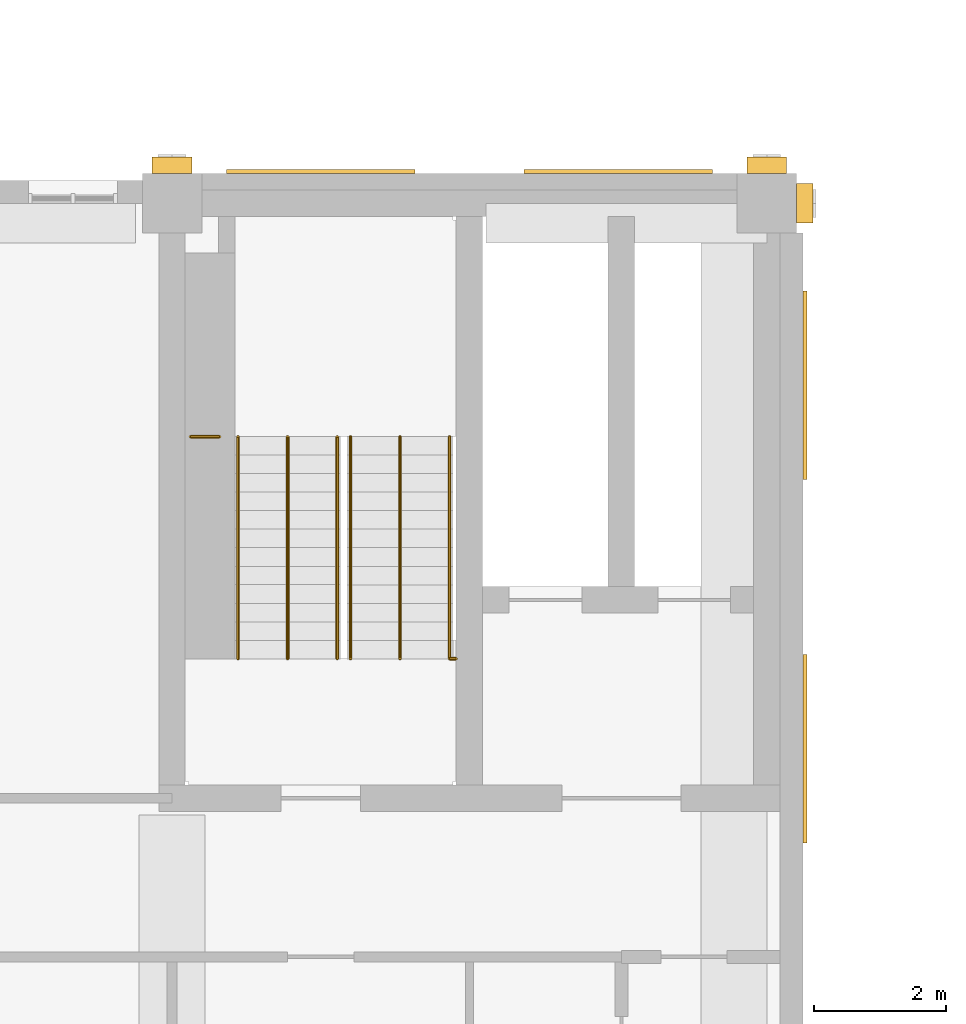
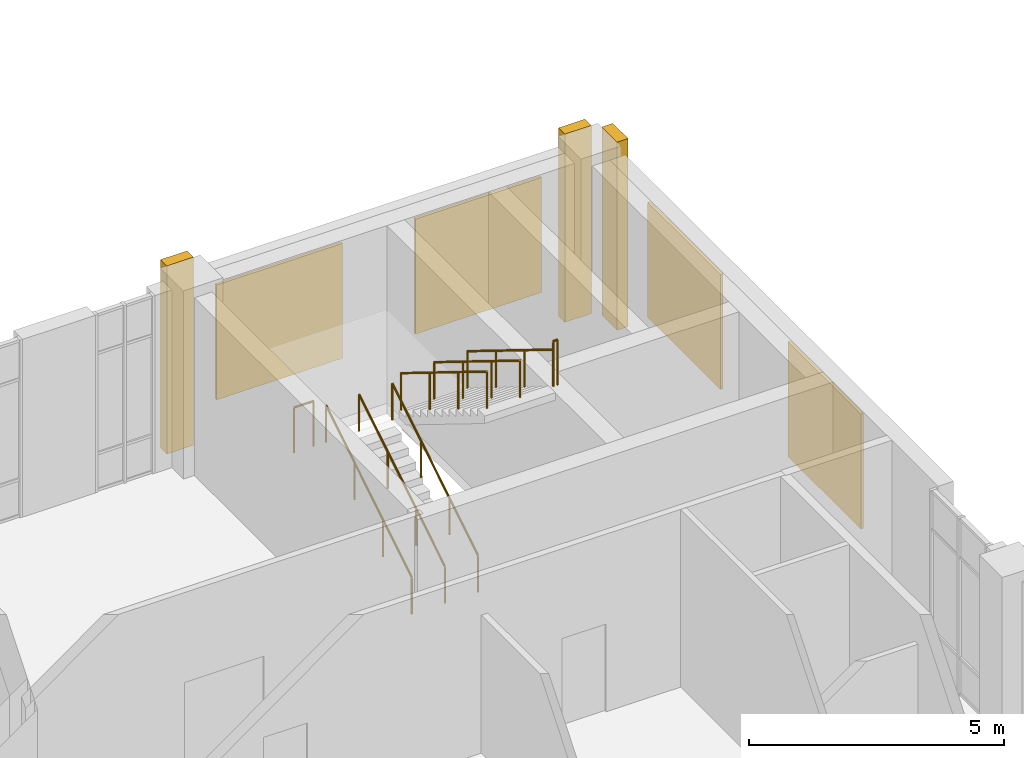
# One storey, part 24 of 25: 8 railings, 7 coverings.
"""IFC4 building model written with IfcOpenShell, lengths in metres."""

from ifc_helpers import new_model, si_unit, direction, frame, origin, origin_2d, place, context, subcontext, project, spatial, rectangle, circle, extrude, material, layer, layer_set, type_object, element, save


model = new_model("IFC4")

# Units and contexts
model_context = context("Model", 3, precision=1e-05, world=origin(), true_north=direction((0.0, 1.0)))
body_context = subcontext(model_context, "Body", "Model", "MODEL_VIEW")
ifc_project = project(units=[si_unit("LENGTHUNIT", "METRE"), si_unit("AREAUNIT", "SQUARE_METRE"), si_unit("VOLUMEUNIT", "CUBIC_METRE"), si_unit("PLANEANGLEUNIT", "RADIAN"), si_unit("MASSUNIT", "GRAM", prefix="KILO")], contexts=[model_context])

# Site, building, storey
site_placement = place(None, origin())
site = spatial("IfcSite", under=ifc_project, at=site_placement, CompositionType="ELEMENT")
building_placement = place(site_placement, origin())
building = spatial("IfcBuilding", under=site, at=building_placement, Name="Aurelan Courthouse", CompositionType="ELEMENT")
storey_placement = place(building_placement, frame((0.0, 0.0, 44.39990234375)))
storey = spatial("IfcBuildingStorey", under=building, at=storey_placement, Name="L08", CompositionType="ELEMENT", Elevation=44.39990234375)

# Coverings
ifc_material_1 = material(Name="Bronze sheet cladding")
ifc_layer = layer(ifc_material_1, 0.06005859375)
ifc_layer_set = layer_set([ifc_layer], Name="Bronze sheet cladding")
covering_type_1 = type_object("IfcCoveringType", Name="Courts' Floors blind bay 2850 x 2750", PredefinedType="CLADDING", material=ifc_layer_set)
for number, where, z_axis, x_axis, name in (
    (1, (20.25, 28.97998046875, 0.900146484375), (0.0, 0.0, 1.0), (1.0, 0.0, 0.0), "Blind bay BB-V5-L08-003"),
    (2, (24.75, 28.97998046875, 0.900146484375), (0.0, 0.0, 1.0), (1.0, 0.0, 0.0), "Blind bay BB-V5-L08-004"),
):
    element("IfcCovering", number, at=place(storey_placement, frame(where, z_axis=z_axis, x_axis=x_axis)), inside=storey, type_object=covering_type_1, Name=name, PredefinedType="CLADDING", context=body_context, shape_type="SweptSolid", body=[
        extrude(rectangle(XDim=2.85009765625, YDim=0.06005859375, at=origin_2d()), origin(), (0.0, 0.0, 1.0), 2.75),
    ])
for number, where, z_axis, x_axis, name in (
    (3, (27.580078125, 20.25, 0.900146484375), (0.0, 0.0, 1.0), (1.0, 0.0, 0.0), "Blind bay BB-V5-L08-005"),
    (4, (27.580078125, 25.75, 0.900146484375), (0.0, 0.0, 1.0), (1.0, 0.0, 0.0), "Blind bay BB-V5-L08-006"),
):
    element("IfcCovering", number, at=place(storey_placement, frame(where, z_axis=z_axis, x_axis=x_axis)), inside=storey, type_object=covering_type_1, Name=name, PredefinedType="CLADDING", context=body_context, shape_type="SweptSolid", body=[
        extrude(rectangle(XDim=0.06005859375, YDim=2.85009765625, at=origin_2d()), origin(), (0.0, 0.0, 1.0), 2.75),
    ])
ifc_material_2 = material(Name="Limestone cladding", Category="masonry")
covering_type_2 = type_object("IfcCoveringType", Name="Courts' Floors pilaster fin 600 x 250", PredefinedType="CLADDING", material=ifc_material_2)
for number, where, z_axis, x_axis, name in (
    (5, (18.0, 29.074951171875, 0.0), (0.0, 0.0, 1.0), (1.0, 0.0, 0.0), "Pilaster fin FN-V5-091"),
    (6, (27.0, 29.074951171875, 0.0), (0.0, 0.0, 1.0), (1.0, 0.0, 0.0), "Pilaster fin FN-V5-092"),
):
    element("IfcCovering", number, at=place(storey_placement, frame(where, z_axis=z_axis, x_axis=x_axis)), inside=storey, type_object=covering_type_2, Name=name, PredefinedType="CLADDING", context=body_context, shape_type="SweptSolid", body=[
        extrude(rectangle(XDim=0.60009765625, YDim=0.25, at=origin_2d()), origin(), (0.0, 0.0, 1.0), 4.5),
    ])
covering_placement = place(storey_placement, frame((27.574951171875, 28.5, 0.0), z_axis=(0.0, 0.0, 1.0), x_axis=(1.0, 0.0, 0.0)))
element("IfcCovering", 7, at=covering_placement, inside=storey, type_object=covering_type_2, Name="Pilaster fin FN-V5-095", PredefinedType="CLADDING", context=body_context, shape_type="SweptSolid", body=[
    extrude(rectangle(XDim=0.25, YDim=0.60009765625, at=origin_2d()), origin(), (0.0, 0.0, 1.0), 4.5),
])

# Railings
ifc_material_3 = material(Name="Steel S355", Category="steel")
railing_type_1 = type_object("IfcRailingType", Name="Stair guard 1100", PredefinedType="GUARDRAIL", material=ifc_material_3)
railing_1_placement = place(storey_placement, frame((22.199951171875, 21.610107421875, 4.5)))
element("IfcRailing", 8, at=railing_1_placement, inside=storey, type_object=railing_type_1, Name="Guard ST-5A-L08-H5-C", PredefinedType="GUARDRAIL", context=body_context, shape_type="SweptSolid", body=[
    extrude(circle(Radius=0.02392578125, at=origin_2d()), frame((0.0, 0.0, 1.076171875), z_axis=(1.0, 0.0, 0.0), x_axis=(0.0, 1.0, 0.0)), (0.0, 0.0, 1.0), 0.10009765625),
    extrude(circle(Radius=0.02099609375, at=origin_2d()), origin(), (0.0, 0.0, 1.0), 1.052001953125),
    extrude(circle(Radius=0.02099609375, at=origin_2d()), frame((0.10009765625, 0.0, 0.0)), (0.0, 0.0, 1.0), 1.052001953125),
])
railing_2_placement = place(storey_placement, frame((18.719970703125, 24.969970703125, 2.25)))
element("IfcRailing", 9, at=railing_2_placement, inside=storey, type_object=railing_type_1, Name="Guard ST-5A-L08-GL1", PredefinedType="GUARDRAIL", context=body_context, shape_type="SweptSolid", body=[
    extrude(circle(Radius=0.02392578125, at=origin_2d()), frame((0.0, 0.0, 1.076171875), z_axis=(-1.0, 0.0, 0.0), x_axis=(0.0, -1.0, 0.0)), (0.0, 0.0, 1.0), 0.43994140625),
    extrude(circle(Radius=0.02099609375, at=origin_2d()), origin(), (0.0, 0.0, 1.0), 1.052001953125),
    extrude(circle(Radius=0.02099609375, at=origin_2d()), frame((-0.43994140625, 0.0, 0.0)), (0.0, 0.0, 1.0), 1.052001953125),
])
railing_type_2 = type_object("IfcRailingType", Name="Stair handrail 900", PredefinedType="HANDRAIL", material=ifc_material_3)
for number, where, name in (
    (10, (19.0, 21.610107421875, 0.173095703125), "Handrail ST-5A-L08-H1"),
    (11, (20.5, 21.610107421875, 0.173095703125), "Handrail ST-5A-L08-H2"),
    (12, (19.75, 21.610107421875, 0.173095703125), "Handrail ST-5A-L08-H3"),
):
    element("IfcRailing", number, at=place(storey_placement, frame(where)), inside=storey, type_object=railing_type_2, Name=name, PredefinedType="HANDRAIL", context=body_context, shape_type="SweptSolid", body=[
        extrude(circle(Radius=0.02392578125, at=origin_2d()), frame((0.0, 0.0, 0.8759765625), z_axis=(0.0, 0.850606129759, 0.525803396734), x_axis=(-1.0, 0.0, 0.0)), (0.0, 0.0, 1.0), 3.949951171875),
        extrude(circle(Radius=0.02099609375, at=origin_2d()), origin(), (0.0, 0.0, 1.0), 0.851806640625),
        extrude(circle(Radius=0.02099609375, at=origin_2d()), frame((0.0, 1.119873046875, 0.6923828125)), (0.0, 0.0, 1.0), 0.851806640625),
        extrude(circle(Radius=0.02099609375, at=origin_2d()), frame((0.0, 2.239990234375, 1.384521484375)), (0.0, 0.0, 1.0), 0.851806640625),
        extrude(circle(Radius=0.02099609375, at=origin_2d()), frame((0.0, 3.35986328125, 2.076904296875)), (0.0, 0.0, 1.0), 0.851806640625),
    ])
for number, where, name in (
    (13, (20.699951171875, 24.969970703125, 2.423095703125), "Handrail ST-5A-L08-H4"),
    (14, (22.199951171875, 24.969970703125, 2.423095703125), "Handrail ST-5A-L08-H5"),
    (15, (21.449951171875, 24.969970703125, 2.423095703125), "Handrail ST-5A-L08-H6"),
):
    element("IfcRailing", number, at=place(storey_placement, frame(where)), inside=storey, type_object=railing_type_2, Name=name, PredefinedType="HANDRAIL", context=body_context, shape_type="SweptSolid", body=[
        extrude(circle(Radius=0.02392578125, at=origin_2d()), frame((0.0, 0.0, 0.8759765625), z_axis=(0.0, -0.850606129759, 0.525803396734), x_axis=(1.0, 0.0, 0.0)), (0.0, 0.0, 1.0), 3.949951171875),
        extrude(circle(Radius=0.02099609375, at=origin_2d()), origin(), (0.0, 0.0, 1.0), 0.851806640625),
        extrude(circle(Radius=0.02099609375, at=origin_2d()), frame((0.0, -1.119873046875, 0.6923828125)), (0.0, 0.0, 1.0), 0.851806640625),
        extrude(circle(Radius=0.02099609375, at=origin_2d()), frame((0.0, -2.239990234375, 1.384521484375)), (0.0, 0.0, 1.0), 0.851806640625),
        extrude(circle(Radius=0.02099609375, at=origin_2d()), frame((0.0, -3.35986328125, 2.076904296875)), (0.0, 0.0, 1.0), 0.851806640625),
    ])

save(model, "model.ifc")
